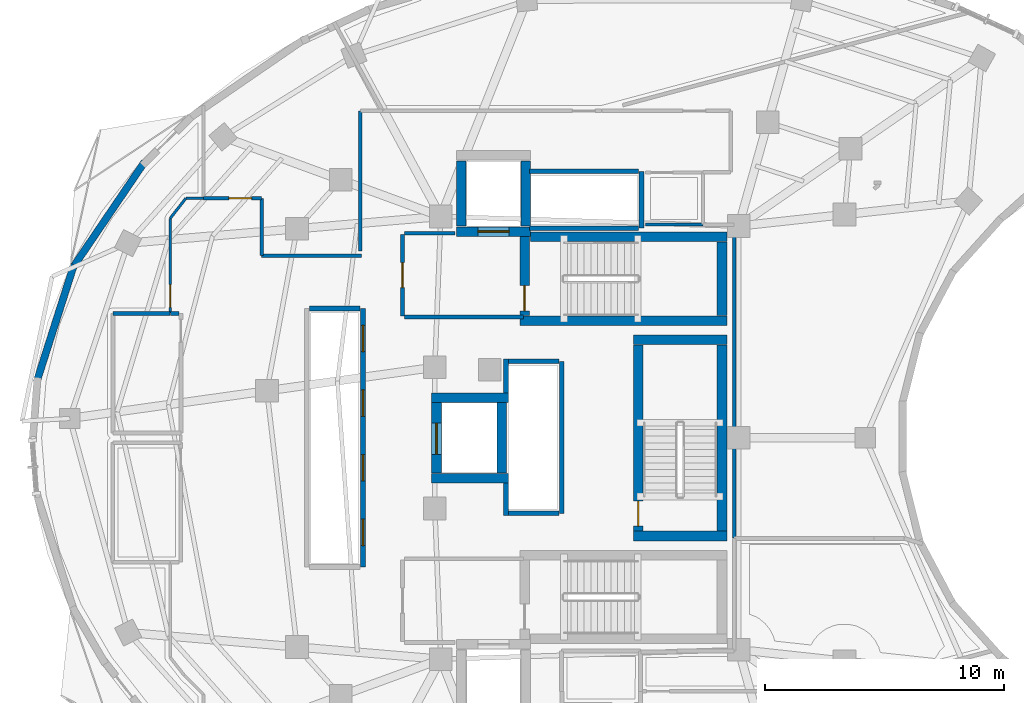
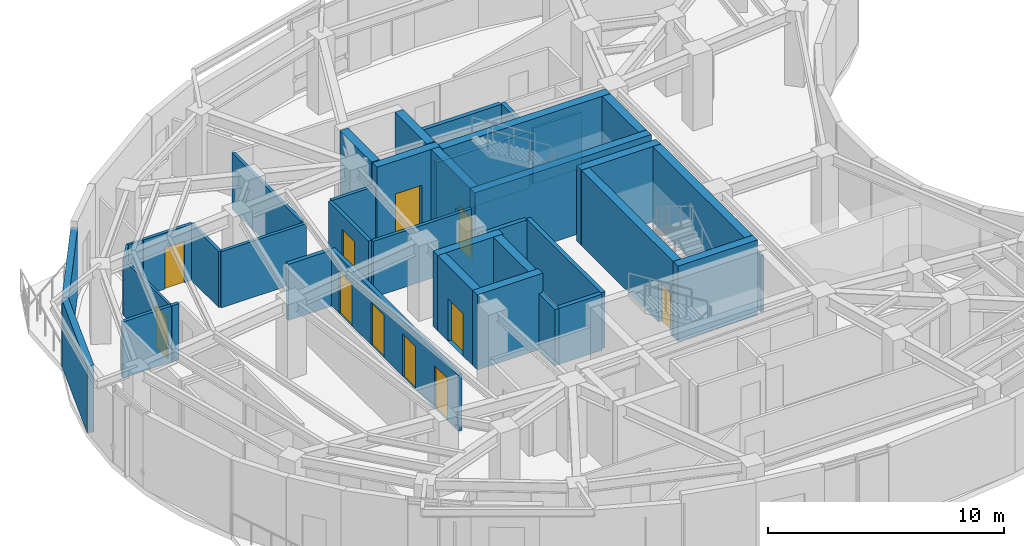
# One storey, part 8 of 13: 41 walls, 11 doors, 11 openings.
"""IFC4 building model written with IfcOpenShell, lengths in metres."""

import ifcopenshell
import ifcopenshell.guid

model = None  # the IFC model being written
_history = None  # IfcOwnerHistory: only IFC2X3 demands one
_inside = {}  # id of a spatial element -> (the spatial element, [elements in it])
_under = {}  # id of a project, library or spatial element -> (it, [spatial elements below it])
_declared = {}  # id of a project -> (the project, [libraries it declares])
_typed = {}  # id of a type object -> (the type object, [elements of that type])
_made_of = {}  # id of a material, layer set ... -> (it, [elements and type objects made of it])


def new_model(schema):
    """Start an empty IFC model of exactly this schema.

    Asked for "IFC4X3", IfcOpenShell would pick the latest addendum, in which some entities
    have other attributes; the version numbers below select the first issue.
    IFC2X3 requires an IfcOwnerHistory on every rooted entity: one is made here for all.
    """
    global model, _history
    if schema == "IFC4X3":
        model = ifcopenshell.file(schema_version=(4, 3, 0, 0))
    else:
        model = ifcopenshell.file(schema=schema)
    _inside.clear()
    _under.clear()
    _declared.clear()
    _typed.clear()
    _made_of.clear()
    _history = None
    if model.schema == "IFC2X3":
        org = make("IfcOrganization", Name="unknown")
        user = make(
            "IfcPersonAndOrganization",
            ThePerson=make("IfcPerson", FamilyName="unknown"),
            TheOrganization=org,
        )
        app = make(
            "IfcApplication",
            ApplicationDeveloper=org,
            Version="unknown",
            ApplicationFullName="unknown",
            ApplicationIdentifier="unknown",
        )
        _history = make(
            "IfcOwnerHistory",
            OwningUser=user,
            OwningApplication=app,
            ChangeAction="ADDED",
            CreationDate=0,
        )
    return model


def make(cls, **values):
    """One entity of the class cls with the attributes given. An attribute that is None is left unset."""
    return model.create_entity(
        cls, **{name: value for name, value in values.items() if value is not None}
    )


def rooted(cls, **values):
    """An entity with a GlobalId (a new one), such as an element, a storey or a relation."""
    return make(cls, GlobalId=ifcopenshell.guid.new(), OwnerHistory=_history, **values)


def si_unit(unit_type, name, prefix=None):
    """IfcSIUnit, for example si_unit("LENGTHUNIT", "METRE", prefix="MILLI")."""
    return make("IfcSIUnit", UnitType=unit_type, Prefix=prefix, Name=name)


def assignment(units):
    """IfcUnitAssignment: the units of a project."""
    return None if units is None else make("IfcUnitAssignment", Units=units)


def point(xyz):
    """IfcCartesianPoint."""
    return None if xyz is None else make("IfcCartesianPoint", Coordinates=xyz)


def direction(xyz):
    """IfcDirection."""
    return None if xyz is None else make("IfcDirection", DirectionRatios=xyz)


def frame(location, z_axis=None, x_axis=None):
    """IfcAxis2Placement3D, a coordinate frame: its origin and axes. An axis left out is left unset."""
    return make(
        "IfcAxis2Placement3D",
        Location=point(location),
        Axis=direction(z_axis),
        RefDirection=direction(x_axis),
    )


def frame_2d(location, x_axis=None):
    """IfcAxis2Placement2D, a coordinate frame in the plane: its origin and x axis."""
    return make(
        "IfcAxis2Placement2D", Location=point(location), RefDirection=direction(x_axis)
    )


def origin():
    """The frame at (0, 0, 0) with its axes left unset."""
    return frame((0.0, 0.0, 0.0))


def place(relative_to, where):
    """IfcLocalPlacement: puts the frame where relative to a parent placement (None: the world)."""
    return make(
        "IfcLocalPlacement", PlacementRelTo=relative_to, RelativePlacement=where
    )


def context(
    kind, dimensions, precision=None, world=None, true_north=None, identifier=None
):
    """IfcGeometricRepresentationContext, for example the 3D "Model" context."""
    return make(
        "IfcGeometricRepresentationContext",
        ContextIdentifier=identifier,
        ContextType=kind,
        CoordinateSpaceDimension=dimensions,
        Precision=precision,
        WorldCoordinateSystem=world,
        TrueNorth=true_north,
    )


def subcontext(parent, identifier, kind, view, scale=None):
    """IfcGeometricRepresentationSubContext, for example "Body" below "Model"."""
    return make(
        "IfcGeometricRepresentationSubContext",
        ContextIdentifier=identifier,
        ContextType=kind,
        ParentContext=parent,
        TargetScale=scale,
        TargetView=view,
    )


def project(units=None, contexts=None):
    """IfcProject with its units and contexts."""
    return rooted(
        "IfcProject",
        Name="project",
        RepresentationContexts=contexts,
        UnitsInContext=assignment(units),
    )


def spatial(cls, under=None, at=None, **own):
    """A site, building, storey or space (cls), placed at a placement, below another one or the project."""
    s = rooted(cls, ObjectPlacement=at, **own)
    if under is not None:
        _under.setdefault(under.id(), (under, []))[1].append(s)
    return s


def profile(cls, at=None, kind="AREA", **sizes):
    """A parametric profile (cls). Its sizes go by their IFC names, for example OverallWidth=200.0."""
    return make(cls, ProfileType=kind, Position=at, **sizes)


def rectangle(**sizes):
    """IfcRectangleProfileDef."""
    return profile("IfcRectangleProfileDef", **sizes)


def extrude(swept, where, along, depth):
    """IfcExtrudedAreaSolid: the profile swept, set in the frame where, extruded along a direction by depth."""
    return make(
        "IfcExtrudedAreaSolid",
        SweptArea=swept,
        Position=where,
        ExtrudedDirection=direction(along),
        Depth=depth,
    )


def shape(context_of_items, identifier, shape_type, items):
    """IfcShapeRepresentation: the items that make up one representation, for example the "Body"."""
    return make(
        "IfcShapeRepresentation",
        ContextOfItems=context_of_items,
        RepresentationIdentifier=identifier,
        RepresentationType=shape_type,
        Items=items,
    )


def material(Name=None, Category=None):
    """IfcMaterial."""
    return make("IfcMaterial", Name=Name, Category=Category)


def layer(
    of_material, thickness, ventilated=None, Name=None, Category=None, Priority=None
):
    """IfcMaterialLayer: one layer of a wall or slab, of a material (None: an air gap)."""
    return make(
        "IfcMaterialLayer",
        Material=of_material,
        LayerThickness=thickness,
        IsVentilated=ventilated,
        Name=Name,
        Category=Category,
        Priority=Priority,
    )


def layer_set(layers, Name=None):
    """IfcMaterialLayerSet."""
    return make("IfcMaterialLayerSet", MaterialLayers=layers, LayerSetName=Name)


def made_of(thing, what):
    """Note that an element or type object is made of a material, layer set ...; save() writes the relation."""
    if what is not None:
        _made_of.setdefault(what.id(), (what, []))[1].append(thing)
    return thing


def type_object(cls, material=None, **own):
    """A type object (cls), such as IfcWallType, which elements share."""
    return made_of(rooted(cls, **own), material)


def element(
    cls,
    number,
    at=None,
    inside=None,
    cuts=None,
    type_object=None,
    material=None,
    context=None,
    identifier="Body",
    shape_type=None,
    held_by="IfcProductDefinitionShape",
    body=None,
    shapes=None,
    **own,
):
    """One element of the class cls, such as IfcWall. Its Tag is "e" and its number.

    at: its placement. inside: the storey or other place that contains it. cuts: it is an
    opening in that element (IfcRelVoidsElement). A single representation is given by context,
    identifier, shape_type and body (its items); several are given by shapes. held_by: the class
    of the entity that holds the representations. save() writes the other relations.
    """
    e = rooted(cls, Tag="e%d" % number, ObjectPlacement=at, **own)
    if body is not None:
        shapes = [shape(context, identifier, shape_type, body)]
    if shapes is not None:
        e.Representation = make(held_by, Representations=shapes)
    if inside is not None:
        _inside.setdefault(inside.id(), (inside, []))[1].append(e)
    if cuts is not None:
        rooted(
            "IfcRelVoidsElement", RelatingBuildingElement=cuts, RelatedOpeningElement=e
        )
    if type_object is not None:
        _typed.setdefault(type_object.id(), (type_object, []))[1].append(e)
    return made_of(e, material)


def fill(opening, filler):
    """IfcRelFillsElement: the door or window that sits in an opening."""
    return rooted(
        "IfcRelFillsElement",
        RelatingOpeningElement=opening,
        RelatedBuildingElement=filler,
    )


def aggregate(whole, parts):
    """IfcRelAggregates: a whole, such as a stair, and the parts it consists of."""
    return rooted("IfcRelAggregates", RelatingObject=whole, RelatedObjects=parts)


def save(model, path):
    """Write the relations noted so far, then the file.

    IfcRelAggregates (storeys below a building ...), IfcRelContainedInSpatialStructure (elements
    in a storey), IfcRelDefinesByType, IfcRelAssociatesMaterial and IfcRelDeclares: one each for
    every whole, place, type object, material and project.
    """
    for whole, parts in _under.values():
        aggregate(whole, parts)
    for where, things in _inside.values():
        rooted(
            "IfcRelContainedInSpatialStructure",
            RelatedElements=things,
            RelatingStructure=where,
        )
    for kind, things in _typed.values():
        rooted("IfcRelDefinesByType", RelatedObjects=things, RelatingType=kind)
    for what, things in _made_of.values():
        rooted("IfcRelAssociatesMaterial", RelatedObjects=things, RelatingMaterial=what)
    for by, libraries in _declared.values():
        rooted("IfcRelDeclares", RelatingContext=by, RelatedDefinitions=libraries)
    model.write(path)


model = new_model("IFC4")

# Units and contexts
model_context = context("Model", 3, precision=1e-05, world=origin(), true_north=direction((0.0, 1.0)))
body_context = subcontext(model_context, "Body", "Model", "MODEL_VIEW")
ifc_project = project(units=[si_unit("LENGTHUNIT", "METRE"), si_unit("AREAUNIT", "SQUARE_METRE"), si_unit("VOLUMEUNIT", "CUBIC_METRE"), si_unit("PLANEANGLEUNIT", "RADIAN"), si_unit("MASSUNIT", "GRAM", prefix="KILO")], contexts=[model_context])

# Site, building, storey
site_placement = place(None, origin())
site = spatial("IfcSite", under=ifc_project, at=site_placement, CompositionType="ELEMENT")
building_placement = place(site_placement, origin())
building = spatial("IfcBuilding", under=site, at=building_placement, Name="Korentha Bioscience Tower", CompositionType="ELEMENT")
storey_placement = place(building_placement, frame((0.0, 0.0, 268.800048828125)))
storey = spatial("IfcBuildingStorey", under=building, at=storey_placement, Name="L62", CompositionType="ELEMENT", Elevation=268.800048828125)

# Wall, opening, door
ifc_material_1 = material(Name="Double-Stud Acoustic Gypsum", Category="gypsum")
ifc_layer_1 = layer(ifc_material_1, 0.14990234375, Name="Double-Stud Acoustic Gypsum")
ifc_layer_set_1 = layer_set([ifc_layer_1], Name="Double-Stud Acoustic Gypsum (IW-L150)")
wall_type_1 = type_object("IfcWallType", Name="Acoustic Laboratory Partition Wall 150", PredefinedType="PARTITIONING", material=ifc_layer_set_1)
wall_1_placement = place(storey_placement, frame((17.60009765625, 37.010009765625, 0.0), z_axis=(0.0, 0.0, 1.0), x_axis=(-1.0, 0.0, 0.0)))
wall_1 = element("IfcWall", 1, at=wall_1_placement, inside=storey, type_object=wall_type_1, Name="L62 Clinical Advisory Boardroom 08 Entrance Wall", PredefinedType="PARTITIONING", context=body_context, shape_type="SweptSolid", body=[
    extrude(rectangle(XDim=2.40576171875, YDim=0.14990234375, at=frame_2d((1.202880859375, 0.0))), origin(), (0.0, 0.0, 1.0), 2.909912109375),
])
opening_1_placement = place(wall_1_placement, frame((0.40185546875, 0.0, 0.0)))
opening_1 = element("IfcOpeningElement", 2, at=opening_1_placement, cuts=wall_1, Name="Opening ID-10R", PredefinedType="OPENING", context=body_context, shape_type="SweptSolid", body=[
    extrude(rectangle(XDim=0.949951171875, YDim=2.14990234375, at=frame_2d((0.47509765625, 1.074951171875))), frame((0.0, 0.08984375, 0.0), z_axis=(0.0, -1.0, 0.0), x_axis=(1.0, 0.0, 0.0)), (0.0, 0.0, 1.0), 0.1796875),
])
ifc_material_2 = material(Name="Phenolic Laminate Timber Core", Category="wood")
door_type_1 = type_object("IfcDoorType", Name="Laboratory Single Leaf Door 950x2150 Right", OperationType="SINGLE_SWING_RIGHT", PredefinedType="DOOR", material=ifc_material_2)
door_1_placement = place(opening_1_placement, origin())
door_1 = element("IfcDoor", 3, at=door_1_placement, inside=storey, type_object=door_type_1, Name="L62 Clinical Advisory Boardroom 08 Door", OperationType="SINGLE_SWING_RIGHT", OverallHeight=2.14990234375, OverallWidth=0.949951171875, PredefinedType="DOOR", context=body_context, shape_type="SweptSolid", body=[
    extrude(rectangle(XDim=0.949951171875, YDim=2.14990234375, at=frame_2d((0.47509765625, 1.074951171875))), frame((0.0, 0.02490234375, 0.0), z_axis=(0.0, -1.0, 0.0), x_axis=(1.0, 0.0, 0.0)), (0.0, 0.0, 1.0), 0.050048828125),
])
fill(opening_1, door_1)

# Walls
wall_2_placement = place(storey_placement, frame((37.360107421875, 22.80810546875, 0.0), z_axis=(0.0, 0.0, 1.0), x_axis=(0.0, 1.0, 0.0)))
element("IfcWall", 4, at=wall_2_placement, inside=storey, type_object=wall_type_1, Name="L62 Interior Partition 046", PredefinedType="PARTITIONING", context=body_context, shape_type="SweptSolid", body=[
    extrude(rectangle(XDim=13.091796875, YDim=0.14990234375, at=frame_2d((6.5458984375, 0.0))), origin(), (0.0, 0.0, 1.0), 2.909912109375),
])
wall_3_placement = place(storey_placement, frame((21.739990234375, 40.64990234375, 0.0), z_axis=(0.0, 0.0, 1.0), x_axis=(0.0, -1.0, 0.0)))
element("IfcWall", 5, at=wall_3_placement, inside=storey, type_object=wall_type_1, Name="L62 Interior Partition 061", PredefinedType="PARTITIONING", context=body_context, shape_type="SweptSolid", body=[
    extrude(rectangle(XDim=5.849853515625, YDim=0.14990234375, at=frame_2d((2.9248046875, 0.0))), origin(), (0.0, 0.0, 1.0), 2.909912109375),
])
wall_4_placement = place(storey_placement, frame((21.7900390625, 34.610107421875, 0.0), z_axis=(0.0, 0.0, 1.0), x_axis=(-1.0, 0.0, 0.0)))
element("IfcWall", 6, at=wall_4_placement, inside=storey, type_object=wall_type_1, Name="L62 Interior Partition 062", PredefinedType="PARTITIONING", context=body_context, shape_type="SweptSolid", body=[
    extrude(rectangle(XDim=4.179931640625, YDim=0.14990234375, at=frame_2d((2.08984375, 0.0))), origin(), (0.0, 0.0, 1.0), 2.909912109375),
])
wall_5_placement = place(storey_placement, frame((17.610107421875, 34.610107421875, 0.0), z_axis=(0.0, 0.0, 1.0), x_axis=(0.0, 1.0, 0.0)))
element("IfcWall", 7, at=wall_5_placement, inside=storey, type_object=wall_type_1, Name="L62 Interior Partition 063", PredefinedType="PARTITIONING", context=body_context, shape_type="SweptSolid", body=[
    extrude(rectangle(XDim=2.389892578125, YDim=0.14990234375, at=frame_2d((1.19482421875, 0.0))), origin(), (0.0, 0.0, 1.0), 2.909912109375),
])

# Wall, opening, door
ifc_material_3 = material(Name="Fire-Rated Framed Glass", Category="glass")
ifc_layer_2 = layer(ifc_material_3, 0.110107421875, Name="Fire-Rated Framed Glass")
ifc_layer_set_2 = layer_set([ifc_layer_2], Name="Fire-Rated Framed Glass (IW-G110)")
wall_type_2 = type_object("IfcWallType", Name="Demountable Glazed Office Partition 110", PredefinedType="MOVABLE", material=ifc_layer_set_2)
wall_6_placement = place(storey_placement, frame((13.7900390625, 36.164794921875, 0.0), z_axis=(0.0, 0.0, 1.0), x_axis=(0.0, -1.0, 0.0)))
wall_6 = element("IfcWall", 8, at=wall_6_placement, inside=storey, type_object=wall_type_2, Name="L62 Biostatistics Research Office 07 Entrance Wall", PredefinedType="MOVABLE", context=body_context, shape_type="SweptSolid", body=[
    extrude(rectangle(XDim=3.954833984375, YDim=0.110107421875, at=frame_2d((1.9775390625, 0.0))), origin(), (0.0, 0.0, 1.0), 2.909912109375),
])
opening_2_placement = place(wall_6_placement, frame((2.764892578125, 0.0, 0.0)))
opening_2 = element("IfcOpeningElement", 9, at=opening_2_placement, cuts=wall_6, Name="Opening ID-10L", PredefinedType="OPENING", context=body_context, shape_type="SweptSolid", body=[
    extrude(rectangle(XDim=0.949951171875, YDim=2.14990234375, at=frame_2d((0.47509765625, 1.074951171875))), frame((0.0, 0.06982421875, 0.0), z_axis=(0.0, -1.0, 0.0), x_axis=(1.0, 0.0, 0.0)), (0.0, 0.0, 1.0), 0.139892578125),
])
door_type_2 = type_object("IfcDoorType", Name="Laboratory Single Leaf Door 950x2150 Left", OperationType="SINGLE_SWING_LEFT", PredefinedType="DOOR", material=ifc_material_2)
door_2_placement = place(opening_2_placement, origin())
door_2 = element("IfcDoor", 10, at=door_2_placement, inside=storey, type_object=door_type_2, Name="L62 Biostatistics Research Office 07 Door", OperationType="SINGLE_SWING_LEFT", OverallHeight=2.14990234375, OverallWidth=0.949951171875, PredefinedType="DOOR", context=body_context, shape_type="SweptSolid", body=[
    extrude(rectangle(XDim=0.949951171875, YDim=2.14990234375, at=frame_2d((0.47509765625, 1.074951171875))), frame((0.0, 0.02490234375, 0.0), z_axis=(0.0, -1.0, 0.0), x_axis=(1.0, 0.0, 0.0)), (0.0, 0.0, 1.0), 0.050048828125),
])
fill(opening_2, door_2)

# Walls
wall_7_placement = place(storey_placement, frame((15.184326171875, 37.010009765625, 0.0), z_axis=(0.0, 0.0, 1.0), x_axis=(-1.0, 0.0, 0.0)))
element("IfcWall", 11, at=wall_7_placement, inside=storey, type_object=wall_type_2, Name="L62 Interior Partition 053", PredefinedType="MOVABLE", context=body_context, shape_type="SweptSolid", body=[
    extrude(rectangle(XDim=0.731689453125, YDim=0.110107421875, at=frame_2d((0.36572265625, 0.0))), origin(), (0.0, 0.0, 1.0), 2.909912109375),
])
wall_8_placement = place(storey_placement, frame((14.44482421875, 37.006103515625, 0.0), z_axis=(0.0, 0.0, 1.0), x_axis=(-0.615836200745, -0.787874211948, 0.0)))
element("IfcWall", 12, at=wall_8_placement, inside=storey, type_object=wall_type_2, Name="L62 Interior Partition 054", PredefinedType="MOVABLE", context=body_context, shape_type="SweptSolid", body=[
    extrude(rectangle(XDim=1.06005859375, YDim=0.110107421875, at=frame_2d((0.530029296875, 0.0))), origin(), (0.0, 0.0, 1.0), 2.909912109375),
])

# Wall, opening, door
ifc_material_4 = material(Name="Gypsum-Clad Steel Stud", Category="steel")
ifc_layer_3 = layer(ifc_material_4, 0.159912109375, Name="Gypsum-Clad Steel Stud")
ifc_layer_set_3 = layer_set([ifc_layer_3], Name="Gypsum-Clad Steel Stud (IW-C160)")
wall_type_3 = type_object("IfcWallType", Name="Fire-Rated Corridor Partition Wall 160", PredefinedType="PARTITIONING", material=ifc_layer_set_3)
wall_9_placement = place(storey_placement, frame((23.5, 32.10009765625, 0.0), z_axis=(0.0, 0.0, 1.0), x_axis=(0.0, 1.0, 0.0)))
wall_9 = element("IfcWall", 13, at=wall_9_placement, inside=storey, type_object=wall_type_3, Name="L62 FFLN-CW Rated Enclosure Wall", PredefinedType="PARTITIONING", context=body_context, shape_type="SweptSolid", body=[
    extrude(rectangle(XDim=3.39990234375, YDim=0.159912109375, at=frame_2d((1.699951171875, 0.0))), origin(), (0.0, 0.0, 1.0), 2.909912109375),
])
opening_3_placement = place(wall_9_placement, frame((1.175048828125, 0.0, 0.0)))
opening_3 = element("IfcOpeningElement", 14, at=opening_3_placement, cuts=wall_9, Name="Opening FD-90L", PredefinedType="OPENING", context=body_context, shape_type="SweptSolid", body=[
    extrude(rectangle(XDim=1.050048828125, YDim=2.14990234375, at=frame_2d((0.52490234375, 1.074951171875))), frame((0.0, 0.0947265625, 0.0), z_axis=(0.0, -1.0, 0.0), x_axis=(1.0, 0.0, 0.0)), (0.0, 0.0, 1.0), 0.189697265625),
])
ifc_material_5 = material(Name="Powder-Coated Fire-Rated Steel", Category="steel")
door_type_3 = type_object("IfcDoorType", Name="Stairwell Fire Exit Door 1050x2150 Left", OperationType="SINGLE_SWING_LEFT", PredefinedType="DOOR", material=ifc_material_5)
door_3_placement = place(opening_3_placement, origin())
door_3 = element("IfcDoor", 15, at=door_3_placement, inside=storey, type_object=door_type_3, Name="L62 North Firefighting Lobby Door", OperationType="SINGLE_SWING_LEFT", OverallHeight=2.14990234375, OverallWidth=1.050048828125, PredefinedType="DOOR", context=body_context, shape_type="SweptSolid", body=[
    extrude(rectangle(XDim=1.050048828125, YDim=2.14990234375, at=frame_2d((0.52490234375, 1.074951171875))), frame((0.0, 0.02490234375, 0.0), z_axis=(0.0, -1.0, 0.0), x_axis=(1.0, 0.0, 0.0)), (0.0, 0.0, 1.0), 0.050048828125),
])
fill(opening_3, door_3)

# Walls
wall_10_placement = place(storey_placement, frame((23.580078125, 32.050048828125, 0.0), z_axis=(0.0, 0.0, 1.0), x_axis=(1.0, 0.0, 0.0)))
element("IfcWall", 16, at=wall_10_placement, inside=storey, type_object=wall_type_3, Name="L62 Firefighting Lobby Return Wall FFLN-S", PredefinedType="PARTITIONING", context=body_context, shape_type="SweptSolid", body=[
    extrude(rectangle(XDim=4.969970703125, YDim=0.159912109375, at=frame_2d((2.48486328125, 0.0))), origin(), (0.0, 0.0, 1.0), 2.909912109375),
])
wall_11_placement = place(storey_placement, frame((23.580078125, 35.550048828125, 0.0), z_axis=(0.0, 0.0, 1.0), x_axis=(1.0, 0.0, 0.0)))
element("IfcWall", 17, at=wall_11_placement, inside=storey, type_object=wall_type_3, Name="L62 Firefighting Lobby Return Wall FFLN-N", PredefinedType="PARTITIONING", context=body_context, shape_type="SweptSolid", body=[
    extrude(rectangle(XDim=2.119873046875, YDim=0.159912109375, at=frame_2d((1.06005859375, 0.0))), origin(), (0.0, 0.0, 1.0), 2.909912109375),
])
wall_12_placement = place(storey_placement, frame((13.800048828125, 32.18994140625, 0.0), z_axis=(0.0, 0.0, 1.0), x_axis=(1.0, 0.0, 0.0)))
element("IfcWall", 18, at=wall_12_placement, inside=storey, type_object=wall_type_3, Name="L62 Interior Partition 024", PredefinedType="PARTITIONING", context=body_context, shape_type="SweptSolid", body=[
    extrude(rectangle(XDim=0.35693359375, YDim=0.159912109375, at=frame_2d((0.178466796875, 0.0))), origin(), (0.0, 0.0, 1.0), 2.909912109375),
])
wall_13_placement = place(storey_placement, frame((11.39990234375, 32.199951171875, 0.0), z_axis=(0.0, 0.0, 1.0), x_axis=(1.0, 0.0, 0.0)))
element("IfcWall", 19, at=wall_13_placement, inside=storey, type_object=wall_type_3, Name="L62 Interior Partition 027", PredefinedType="PARTITIONING", context=body_context, shape_type="SweptSolid", body=[
    extrude(rectangle(XDim=2.39013671875, YDim=0.159912109375, at=frame_2d((1.195068359375, 0.0))), origin(), (0.0, 0.0, 1.0), 2.909912109375),
])
ifc_material_6 = material(Name="Honed Limestone Precast Concrete C40", Category="masonry")
ifc_layer_4 = layer(ifc_material_6, 0.300048828125, Name="Honed Limestone Precast Concrete C40")
ifc_layer_set_4 = layer_set([ifc_layer_4], Name="Honed Limestone Precast Concrete C40 (EW-ST300)")
wall_type_4 = type_object("IfcWallType", Name="Honed Limestone Cavity Spandrel Wall 300", PredefinedType="STANDARD", material=ifc_layer_set_4)
wall_14_placement = place(storey_placement, frame((12.72509765625, 38.533935546875, 0.0), z_axis=(0.0, 0.0, 1.0), x_axis=(-0.561547791281, -0.827444305139, 0.0)))
element("IfcWall", 20, at=wall_14_placement, inside=storey, type_object=wall_type_4, Name="L62 Limestone Perimeter Closure Wall 14", PredefinedType="STANDARD", context=body_context, shape_type="SweptSolid", body=[
    extrude(rectangle(XDim=5.4072265625, YDim=0.300048828125, at=frame_2d((2.70361328125, 0.0))), origin(), (0.0, 0.0, 1.0), 3.469970703125),
])
wall_15_placement = place(storey_placement, frame((9.775390625, 34.23828125, 0.0), z_axis=(0.0, 0.0, 1.0), x_axis=(-0.303876387353, -0.952711467974, 0.0)))
element("IfcWall", 21, at=wall_15_placement, inside=storey, type_object=wall_type_4, Name="L62 Limestone Perimeter Closure Wall 16", PredefinedType="STANDARD", context=body_context, shape_type="SweptSolid", body=[
    extrude(rectangle(XDim=5.15234375, YDim=0.300048828125, at=frame_2d((2.576171875, 0.0))), origin(), (0.0, 0.0, 1.0), 3.469970703125),
])

# Wall, openings, doors
ifc_material_7 = material(Name="Autoclaved Aerated Concrete Block C25", Category="concrete")
ifc_layer_5 = layer(ifc_material_7, 0.199951171875, Name="Autoclaved Aerated Concrete Block C25")
ifc_layer_set_5 = layer_set([ifc_layer_5], Name="Autoclaved Aerated Concrete Block C25 (IW-S200)")
wall_type_5 = type_object("IfcWallType", Name="Lift and Riser Shaft Enclosure Wall 200", PredefinedType="PARTITIONING", material=ifc_layer_set_5)
wall_16_placement = place(storey_placement, frame((21.85009765625, 21.60009765625, 0.0), z_axis=(0.0, 0.0, 1.0), x_axis=(0.0, 1.0, 0.0)))
wall_16 = element("IfcWall", 22, at=wall_16_placement, inside=storey, type_object=wall_type_5, Name="L62 Lift Bank MID Shaft Wall +X", PredefinedType="PARTITIONING", context=body_context, shape_type="SweptSolid", body=[
    extrude(rectangle(XDim=10.7998046875, YDim=0.199951171875, at=frame_2d((5.39990234375, 0.0))), origin(), (0.0, 0.0, 1.0), 2.909912109375),
])
opening_4_placement = place(wall_16_placement, frame((0.89990234375, 0.0, 0.0)))
opening_4 = element("IfcOpeningElement", 23, at=opening_4_placement, cuts=wall_16, Name="Opening LD-11", PredefinedType="OPENING", context=body_context, shape_type="SweptSolid", body=[
    extrude(rectangle(XDim=1.10009765625, YDim=2.199951171875, at=frame_2d((0.550048828125, 1.10009765625))), frame((0.0, 0.11474609375, 0.0), z_axis=(0.0, -1.0, 0.0), x_axis=(1.0, 0.0, 0.0)), (0.0, 0.0, 1.0), 0.229736328125),
])
opening_5_placement = place(wall_16_placement, frame((3.60009765625, 0.0, 0.0)))
opening_5 = element("IfcOpeningElement", 24, at=opening_5_placement, cuts=wall_16, Name="Opening LD-11", PredefinedType="OPENING", context=body_context, shape_type="SweptSolid", body=[
    extrude(rectangle(XDim=1.10009765625, YDim=2.199951171875, at=frame_2d((0.550048828125, 1.10009765625))), frame((0.0, 0.11474609375, 0.0), z_axis=(0.0, -1.0, 0.0), x_axis=(1.0, 0.0, 0.0)), (0.0, 0.0, 1.0), 0.229736328125),
])
opening_6_placement = place(wall_16_placement, frame((6.300048828125, 0.0, 0.0)))
opening_6 = element("IfcOpeningElement", 25, at=opening_6_placement, cuts=wall_16, Name="Opening LD-11", PredefinedType="OPENING", context=body_context, shape_type="SweptSolid", body=[
    extrude(rectangle(XDim=1.10009765625, YDim=2.199951171875, at=frame_2d((0.550048828125, 1.10009765625))), frame((0.0, 0.11474609375, 0.0), z_axis=(0.0, -1.0, 0.0), x_axis=(1.0, 0.0, 0.0)), (0.0, 0.0, 1.0), 0.229736328125),
])
opening_7_placement = place(wall_16_placement, frame((9.0, 0.0, 0.0)))
opening_7 = element("IfcOpeningElement", 26, at=opening_7_placement, cuts=wall_16, Name="Opening LD-11", PredefinedType="OPENING", context=body_context, shape_type="SweptSolid", body=[
    extrude(rectangle(XDim=1.10009765625, YDim=2.199951171875, at=frame_2d((0.550048828125, 1.10009765625))), frame((0.0, 0.11474609375, 0.0), z_axis=(0.0, -1.0, 0.0), x_axis=(1.0, 0.0, 0.0)), (0.0, 0.0, 1.0), 0.229736328125),
])
ifc_material_8 = material(Name="Brushed Stainless Steel 304", Category="steel")
door_type_4 = type_object("IfcDoorType", Name="Passenger Lift Sliding Landing Door 1100x2200", OperationType="DOUBLE_DOOR_SLIDING", PredefinedType="DOOR", material=ifc_material_8)
door_4_placement = place(opening_4_placement, origin())
door_4 = element("IfcDoor", 27, at=door_4_placement, inside=storey, type_object=door_type_4, Name="L62 PL-M1 Sliding Lift Landing Door", OperationType="DOUBLE_DOOR_SLIDING", OverallHeight=2.199951171875, OverallWidth=1.10009765625, PredefinedType="DOOR", context=body_context, shape_type="SweptSolid", body=[
    extrude(rectangle(XDim=1.10009765625, YDim=2.199951171875, at=frame_2d((0.550048828125, 1.10009765625))), frame((0.0, 0.02490234375, 0.0), z_axis=(0.0, -1.0, 0.0), x_axis=(1.0, 0.0, 0.0)), (0.0, 0.0, 1.0), 0.050048828125),
])
fill(opening_4, door_4)
door_5_placement = place(opening_5_placement, origin())
door_5 = element("IfcDoor", 28, at=door_5_placement, inside=storey, type_object=door_type_4, Name="L62 PL-M2 Sliding Lift Landing Door", OperationType="DOUBLE_DOOR_SLIDING", OverallHeight=2.199951171875, OverallWidth=1.10009765625, PredefinedType="DOOR", context=body_context, shape_type="SweptSolid", body=[
    extrude(rectangle(XDim=1.10009765625, YDim=2.199951171875, at=frame_2d((0.550048828125, 1.10009765625))), frame((0.0, 0.02490234375, 0.0), z_axis=(0.0, -1.0, 0.0), x_axis=(1.0, 0.0, 0.0)), (0.0, 0.0, 1.0), 0.050048828125),
])
fill(opening_5, door_5)
door_6_placement = place(opening_6_placement, origin())
door_6 = element("IfcDoor", 29, at=door_6_placement, inside=storey, type_object=door_type_4, Name="L62 PL-M3 Sliding Lift Landing Door", OperationType="DOUBLE_DOOR_SLIDING", OverallHeight=2.199951171875, OverallWidth=1.10009765625, PredefinedType="DOOR", context=body_context, shape_type="SweptSolid", body=[
    extrude(rectangle(XDim=1.10009765625, YDim=2.199951171875, at=frame_2d((0.550048828125, 1.10009765625))), frame((0.0, 0.02490234375, 0.0), z_axis=(0.0, -1.0, 0.0), x_axis=(1.0, 0.0, 0.0)), (0.0, 0.0, 1.0), 0.050048828125),
])
fill(opening_6, door_6)
door_7_placement = place(opening_7_placement, origin())
door_7 = element("IfcDoor", 30, at=door_7_placement, inside=storey, type_object=door_type_4, Name="L62 PL-M4 Sliding Lift Landing Door", OperationType="DOUBLE_DOOR_SLIDING", OverallHeight=2.199951171875, OverallWidth=1.10009765625, PredefinedType="DOOR", context=body_context, shape_type="SweptSolid", body=[
    extrude(rectangle(XDim=1.10009765625, YDim=2.199951171875, at=frame_2d((0.550048828125, 1.10009765625))), frame((0.0, 0.02490234375, 0.0), z_axis=(0.0, -1.0, 0.0), x_axis=(1.0, 0.0, 0.0)), (0.0, 0.0, 1.0), 0.050048828125),
])
fill(opening_7, door_7)

# Walls
wall_17_placement = place(storey_placement, frame((19.6201171875, 32.39990234375, 0.0), z_axis=(0.0, 0.0, 1.0), x_axis=(1.0, 0.0, 0.0)))
element("IfcWall", 31, at=wall_17_placement, inside=storey, type_object=wall_type_5, Name="L62 Lift Bank MID Shaft Wall +Y", PredefinedType="PARTITIONING", context=body_context, shape_type="SweptSolid", body=[
    extrude(rectangle(XDim=2.10986328125, YDim=0.199951171875, at=frame_2d((1.054931640625, 0.0))), origin(), (0.0, 0.0, 1.0), 2.909912109375),
])
wall_18_placement = place(storey_placement, frame((27.830078125, 23.75, 0.0), z_axis=(0.0, 0.0, 1.0), x_axis=(0.0, 1.0, 0.0)))
element("IfcWall", 32, at=wall_18_placement, inside=storey, type_object=wall_type_5, Name="L62 Lift Bank HIGH Shaft Wall -XS", PredefinedType="PARTITIONING", context=body_context, shape_type="SweptSolid", body=[
    extrude(rectangle(XDim=1.365966796875, YDim=0.199951171875, at=frame_2d((0.68310546875, 0.0))), origin(), (0.0, 0.0, 1.0), 2.909912109375),
])
wall_19_placement = place(storey_placement, frame((27.830078125, 28.884033203125, 0.0), z_axis=(0.0, 0.0, 1.0), x_axis=(0.0, 1.0, 0.0)))
element("IfcWall", 33, at=wall_19_placement, inside=storey, type_object=wall_type_5, Name="L62 Lift Bank HIGH Shaft Wall -XN", PredefinedType="PARTITIONING", context=body_context, shape_type="SweptSolid", body=[
    extrude(rectangle(XDim=1.416015625, YDim=0.199951171875, at=frame_2d((0.7080078125, 0.0))), origin(), (0.0, 0.0, 1.0), 2.909912109375),
])
wall_20_placement = place(storey_placement, frame((30.14990234375, 23.85009765625, 0.0), z_axis=(0.0, 0.0, 1.0), x_axis=(0.0, 1.0, 0.0)))
element("IfcWall", 34, at=wall_20_placement, inside=storey, type_object=wall_type_5, Name="L62 Lift Bank HIGH Shaft Wall +X", PredefinedType="PARTITIONING", context=body_context, shape_type="SweptSolid", body=[
    extrude(rectangle(XDim=6.349853515625, YDim=0.199951171875, at=frame_2d((3.1748046875, 0.0))), origin(), (0.0, 0.0, 1.0), 2.909912109375),
])
for number, where, z_axis, x_axis, name in (
    (35, (27.93408203125, 23.85009765625, 0.0), (0.0, 0.0, 1.0), (1.0, 0.0, 0.0), "L62 Lift Bank HIGH Shaft Wall -Y"),
    (36, (27.93408203125, 30.199951171875, 0.0), (0.0, 0.0, 1.0), (1.0, 0.0, 0.0), "L62 Lift Bank HIGH Shaft Wall +Y"),
):
    element("IfcWall", number, at=place(storey_placement, frame(where, z_axis=z_axis, x_axis=x_axis)), inside=storey, type_object=wall_type_5, Name=name, PredefinedType="PARTITIONING", context=body_context, shape_type="SweptSolid", body=[
        extrude(rectangle(XDim=2.095947265625, YDim=0.199951171875, at=frame_2d((1.0478515625, 0.0))), origin(), (0.0, 0.0, 1.0), 2.909912109375),
    ])
wall_21_placement = place(storey_placement, frame((33.489990234375, 35.760009765625, 0.0), z_axis=(0.0, 0.0, 1.0), x_axis=(0.0, 1.0, 0.0)))
element("IfcWall", 37, at=wall_21_placement, inside=storey, type_object=wall_type_5, Name="L62 Lift Bank OBS Shaft Wall +X", PredefinedType="PARTITIONING", context=body_context, shape_type="SweptSolid", body=[
    extrude(rectangle(XDim=2.3798828125, YDim=0.199951171875, at=frame_2d((1.18994140625, 0.0))), origin(), (0.0, 0.0, 1.0), 2.909912109375),
])
for number, where, z_axis, x_axis, name in (
    (38, (28.800048828125, 35.760009765625, 0.0), (0.0, 0.0, 1.0), (1.0, 0.0, 0.0), "L62 Lift Bank OBS Shaft Wall -Y"),
    (39, (28.800048828125, 38.139892578125, 0.0), (0.0, 0.0, 1.0), (1.0, 0.0, 0.0), "L62 Lift Bank OBS Shaft Wall +Y"),
):
    element("IfcWall", number, at=place(storey_placement, frame(where, z_axis=z_axis, x_axis=x_axis)), inside=storey, type_object=wall_type_5, Name=name, PredefinedType="PARTITIONING", context=body_context, shape_type="SweptSolid", body=[
        extrude(rectangle(XDim=4.570068359375, YDim=0.199951171875, at=frame_2d((2.28515625, 0.0))), origin(), (0.0, 0.0, 1.0), 2.909912109375),
    ])
ifc_material_9 = material(Name="Concrete C65", Category="concrete")
ifc_layer_6 = layer(ifc_material_9, 0.39990234375, Name="Concrete C65")
ifc_layer_set_6 = layer_set([ifc_layer_6], Name="Concrete C65 (CW-C65)")
wall_type_6 = type_object("IfcWallType", Name="Mid-Rise Core Shear Wall 400", PredefinedType="SHEAR", material=ifc_layer_set_6)
wall_22_placement = place(storey_placement, frame((28.85205078125, 35.39990234375, 0.0), z_axis=(0.0, 0.0, 1.0), x_axis=(1.0, 0.0, 0.0)))
element("IfcWall", 40, at=wall_22_placement, inside=storey, type_object=wall_type_6, Name="L62 Core Shear Wall ST1-N", PredefinedType="SHEAR", context=body_context, shape_type="SweptSolid", body=[
    extrude(rectangle(XDim=8.197998046875, YDim=0.39990234375, at=frame_2d((4.09912109375, 0.0))), origin(), (0.0, 0.0, 1.0), 3.89990234375),
])
wall_23_placement = place(storey_placement, frame((28.39990234375, 31.89990234375, 0.0), z_axis=(0.0, 0.0, 1.0), x_axis=(1.0, 0.0, 0.0)))
element("IfcWall", 41, at=wall_23_placement, inside=storey, type_object=wall_type_6, Name="L62 Core Shear Wall ST1-S", PredefinedType="SHEAR", context=body_context, shape_type="SweptSolid", body=[
    extrude(rectangle(XDim=8.650146484375, YDim=0.39990234375, at=frame_2d((4.3251953125, 0.0))), origin(), (0.0, 0.0, 1.0), 3.89990234375),
])
wall_24_placement = place(storey_placement, frame((36.85009765625, 32.110107421875, 0.0), z_axis=(0.0, 0.0, 1.0), x_axis=(0.0, 1.0, 0.0)))
element("IfcWall", 42, at=wall_24_placement, inside=storey, type_object=wall_type_6, Name="L62 Core Shear Wall ST1-E", PredefinedType="SHEAR", context=body_context, shape_type="SweptSolid", body=[
    extrude(rectangle(XDim=3.079833984375, YDim=0.39990234375, at=frame_2d((1.5400390625, 0.0))), origin(), (0.0, 0.0, 1.0), 3.89990234375),
])

# Wall, opening, door
wall_25_placement = place(storey_placement, frame((28.60009765625, 32.110107421875, 0.0), z_axis=(0.0, 0.0, 1.0), x_axis=(0.0, 1.0, 0.0)))
wall_25 = element("IfcWall", 43, at=wall_25_placement, inside=storey, type_object=wall_type_6, Name="L62 Core Shear Wall ST1-W", PredefinedType="SHEAR", context=body_context, shape_type="SweptSolid", body=[
    extrude(rectangle(XDim=3.307861328125, YDim=0.39990234375, at=frame_2d((1.65380859375, 0.0))), origin(), (0.0, 0.0, 1.0), 3.89990234375),
])
opening_8_placement = place(wall_25_placement, frame((0.199951171875, 0.0, 0.0)))
opening_8 = element("IfcOpeningElement", 44, at=opening_8_placement, cuts=wall_25, Name="Opening FD-90L", PredefinedType="OPENING", context=body_context, shape_type="SweptSolid", body=[
    extrude(rectangle(XDim=1.050048828125, YDim=2.14990234375, at=frame_2d((0.52490234375, 1.074951171875))), frame((0.0, 0.21484375, 0.0), z_axis=(0.0, -1.0, 0.0), x_axis=(1.0, 0.0, 0.0)), (0.0, 0.0, 1.0), 0.4296875),
])
door_8_placement = place(opening_8_placement, origin())
door_8 = element("IfcDoor", 45, at=door_8_placement, inside=storey, type_object=door_type_3, Name="L62 ST-1 Fire Exit Stair Door", OperationType="SINGLE_SWING_LEFT", OverallHeight=2.14990234375, OverallWidth=1.050048828125, PredefinedType="DOOR", context=body_context, shape_type="SweptSolid", body=[
    extrude(rectangle(XDim=1.050048828125, YDim=2.14990234375, at=frame_2d((0.52490234375, 1.074951171875))), frame((0.0, 0.02490234375, 0.0), z_axis=(0.0, -1.0, 0.0), x_axis=(1.0, 0.0, 0.0)), (0.0, 0.0, 1.0), 0.050048828125),
])
fill(opening_8, door_8)

# Walls
for number, where, z_axis, x_axis, name in (
    (46, (33.14990234375, 31.10009765625, 0.0), (0.0, 0.0, 1.0), (1.0, 0.0, 0.0), "L62 Core Shear Wall ST3-N"),
    (47, (33.14990234375, 22.89990234375, 0.0), (0.0, 0.0, 1.0), (1.0, 0.0, 0.0), "L62 Core Shear Wall ST3-S"),
):
    element("IfcWall", number, at=place(storey_placement, frame(where, z_axis=z_axis, x_axis=x_axis)), inside=storey, type_object=wall_type_6, Name=name, PredefinedType="SHEAR", context=body_context, shape_type="SweptSolid", body=[
        extrude(rectangle(XDim=3.900146484375, YDim=0.39990234375, at=frame_2d((1.9501953125, 0.0))), origin(), (0.0, 0.0, 1.0), 3.89990234375),
    ])
wall_26_placement = place(storey_placement, frame((36.85009765625, 23.110107421875, 0.0), z_axis=(0.0, 0.0, 1.0), x_axis=(0.0, 1.0, 0.0)))
element("IfcWall", 48, at=wall_26_placement, inside=storey, type_object=wall_type_6, Name="L62 Core Shear Wall ST3-E", PredefinedType="SHEAR", context=body_context, shape_type="SweptSolid", body=[
    extrude(rectangle(XDim=7.77978515625, YDim=0.39990234375, at=frame_2d((3.889892578125, 0.0))), origin(), (0.0, 0.0, 1.0), 3.89990234375),
])

# Wall, opening, door
wall_27_placement = place(storey_placement, frame((33.35009765625, 23.110107421875, 0.0), z_axis=(0.0, 0.0, 1.0), x_axis=(0.0, 1.0, 0.0)))
wall_27 = element("IfcWall", 49, at=wall_27_placement, inside=storey, type_object=wall_type_6, Name="L62 Core Shear Wall ST3-W", PredefinedType="SHEAR", context=body_context, shape_type="SweptSolid", body=[
    extrude(rectangle(XDim=7.77978515625, YDim=0.39990234375, at=frame_2d((3.889892578125, 0.0))), origin(), (0.0, 0.0, 1.0), 3.89990234375),
])
opening_9_placement = place(wall_27_placement, frame((0.199951171875, 0.0, 0.0)))
opening_9 = element("IfcOpeningElement", 50, at=opening_9_placement, cuts=wall_27, Name="Opening FD-90L", PredefinedType="OPENING", context=body_context, shape_type="SweptSolid", body=[
    extrude(rectangle(XDim=1.050048828125, YDim=2.14990234375, at=frame_2d((0.52490234375, 1.074951171875))), frame((0.0, 0.21484375, 0.0), z_axis=(0.0, -1.0, 0.0), x_axis=(1.0, 0.0, 0.0)), (0.0, 0.0, 1.0), 0.4296875),
])
door_9_placement = place(opening_9_placement, origin())
door_9 = element("IfcDoor", 51, at=door_9_placement, inside=storey, type_object=door_type_3, Name="L62 ST-3 Fire Exit Stair Door", OperationType="SINGLE_SWING_LEFT", OverallHeight=2.14990234375, OverallWidth=1.050048828125, PredefinedType="DOOR", context=body_context, shape_type="SweptSolid", body=[
    extrude(rectangle(XDim=1.050048828125, YDim=2.14990234375, at=frame_2d((0.52490234375, 1.074951171875))), frame((0.0, 0.02490234375, 0.0), z_axis=(0.0, -1.0, 0.0), x_axis=(1.0, 0.0, 0.0)), (0.0, 0.0, 1.0), 0.050048828125),
])
fill(opening_9, door_9)

wall_28_placement = place(storey_placement, frame((25.75, 35.6201171875, 0.0), z_axis=(0.0, 0.0, 1.0), x_axis=(1.0, 0.0, 0.0)))
wall_28 = element("IfcWall", 52, at=wall_28_placement, inside=storey, type_object=wall_type_6, Name="L62 Core Shear Wall FFL2-S", PredefinedType="SHEAR", context=body_context, shape_type="SweptSolid", body=[
    extrude(rectangle(XDim=3.10009765625, YDim=0.39990234375, at=frame_2d((1.550048828125, 0.0))), origin(), (0.0, 0.0, 1.0), 3.89990234375),
])
opening_10_placement = place(wall_28_placement, frame((0.89990234375, 0.0, 0.0)))
opening_10 = element("IfcOpeningElement", 53, at=opening_10_placement, cuts=wall_28, Name="Opening LD-13", PredefinedType="OPENING", context=body_context, shape_type="SweptSolid", body=[
    extrude(rectangle(XDim=1.300048828125, YDim=2.199951171875, at=frame_2d((0.64990234375, 1.10009765625))), frame((0.0, 0.21484375, 0.0), z_axis=(0.0, -1.0, 0.0), x_axis=(1.0, 0.0, 0.0)), (0.0, 0.0, 1.0), 0.4296875),
])
ifc_material_10 = material(Name="Brushed Stainless Steel 316", Category="steel")
door_type_5 = type_object("IfcDoorType", Name="Service & Firefighting Lift Landing Door 1300x2300", OperationType="DOUBLE_DOOR_SLIDING", PredefinedType="DOOR", material=ifc_material_10)
door_10_placement = place(opening_10_placement, origin())
door_10 = element("IfcDoor", 54, at=door_10_placement, inside=storey, type_object=door_type_5, Name="L62 FFL-2 Sliding Lift Landing Door", OperationType="DOUBLE_DOOR_SLIDING", OverallHeight=2.199951171875, OverallWidth=1.300048828125, PredefinedType="DOOR", context=body_context, shape_type="SweptSolid", body=[
    extrude(rectangle(XDim=1.300048828125, YDim=2.199951171875, at=frame_2d((0.64990234375, 1.10009765625))), frame((0.0, 0.02490234375, 0.0), z_axis=(0.0, -1.0, 0.0), x_axis=(1.0, 0.0, 0.0)), (0.0, 0.0, 1.0), 0.050048828125),
])
fill(opening_10, door_10)

# Walls
for number, where, z_axis, x_axis, name in (
    (55, (25.949951171875, 35.860107421875, 0.0), (0.0, 0.0, 1.0), (0.0, 1.0, 0.0), "L62 Core Shear Wall FFL2-W"),
    (56, (28.64990234375, 35.860107421875, 0.0), (0.0, 0.0, 1.0), (0.0, 1.0, 0.0), "L62 Core Shear Wall FFL2-E"),
):
    element("IfcWall", number, at=place(storey_placement, frame(where, z_axis=z_axis, x_axis=x_axis)), inside=storey, type_object=wall_type_6, Name=name, PredefinedType="SHEAR", context=body_context, shape_type="SweptSolid", body=[
        extrude(rectangle(XDim=2.699951171875, YDim=0.39990234375, at=frame_2d((1.35009765625, 0.0))), origin(), (0.0, 0.0, 1.0), 3.89990234375),
    ])
for number, where, z_axis, x_axis, name in (
    (57, (24.719970703125, 28.679931640625, 0.0), (0.0, 0.0, 1.0), (1.0, 0.0, 0.0), "L62 Core Shear Wall SVL1-N"),
    (58, (24.719970703125, 25.320068359375, 0.0), (0.0, 0.0, 1.0), (1.0, 0.0, 0.0), "L62 Core Shear Wall SVL1-S"),
):
    element("IfcWall", number, at=place(storey_placement, frame(where, z_axis=z_axis, x_axis=x_axis)), inside=storey, type_object=wall_type_6, Name=name, PredefinedType="SHEAR", context=body_context, shape_type="SweptSolid", body=[
        extrude(rectangle(XDim=3.2099609375, YDim=0.39990234375, at=frame_2d((1.60498046875, 0.0))), origin(), (0.0, 0.0, 1.0), 3.89990234375),
    ])

# Wall, opening, door
wall_29_placement = place(storey_placement, frame((24.919921875, 25.52197265625, 0.0), z_axis=(0.0, 0.0, 1.0), x_axis=(0.0, 1.0, 0.0)))
wall_29 = element("IfcWall", 59, at=wall_29_placement, inside=storey, type_object=wall_type_6, Name="L62 Core Shear Wall SVL1-W", PredefinedType="SHEAR", context=body_context, shape_type="SweptSolid", body=[
    extrude(rectangle(XDim=2.9560546875, YDim=0.39990234375, at=frame_2d((1.47802734375, 0.0))), origin(), (0.0, 0.0, 1.0), 3.89990234375),
])
opening_11_placement = place(wall_29_placement, frame((0.7900390625, 0.0, 0.0)))
opening_11 = element("IfcOpeningElement", 60, at=opening_11_placement, cuts=wall_29, Name="Opening LD-13", PredefinedType="OPENING", context=body_context, shape_type="SweptSolid", body=[
    extrude(rectangle(XDim=1.300048828125, YDim=2.199951171875, at=frame_2d((0.64990234375, 1.10009765625))), frame((0.0, 0.21484375, 0.0), z_axis=(0.0, -1.0, 0.0), x_axis=(1.0, 0.0, 0.0)), (0.0, 0.0, 1.0), 0.4296875),
])
door_11_placement = place(opening_11_placement, origin())
door_11 = element("IfcDoor", 61, at=door_11_placement, inside=storey, type_object=door_type_5, Name="L62 SVL-1 Sliding Lift Landing Door", OperationType="DOUBLE_DOOR_SLIDING", OverallHeight=2.199951171875, OverallWidth=1.300048828125, PredefinedType="DOOR", context=body_context, shape_type="SweptSolid", body=[
    extrude(rectangle(XDim=1.300048828125, YDim=2.199951171875, at=frame_2d((0.64990234375, 1.10009765625))), frame((0.0, 0.02490234375, 0.0), z_axis=(0.0, -1.0, 0.0), x_axis=(1.0, 0.0, 0.0)), (0.0, 0.0, 1.0), 0.050048828125),
])
fill(opening_11, door_11)

# Walls
wall_30_placement = place(storey_placement, frame((27.64990234375, 25.52197265625, 0.0), z_axis=(0.0, 0.0, 1.0), x_axis=(0.0, 1.0, 0.0)))
element("IfcWall", 62, at=wall_30_placement, inside=storey, type_object=wall_type_6, Name="L62 Core Shear Wall SVL1-E", PredefinedType="SHEAR", context=body_context, shape_type="SweptSolid", body=[
    extrude(rectangle(XDim=2.9560546875, YDim=0.39990234375, at=frame_2d((1.47802734375, 0.0))), origin(), (0.0, 0.0, 1.0), 3.89990234375),
])
ifc_material_11 = material(Name="Cement-Board Steel Stud", Category="steel")
ifc_layer_7 = layer(ifc_material_11, 0.1298828125, Name="Cement-Board Steel Stud")
ifc_layer_set_7 = layer_set([ifc_layer_7], Name="Cement-Board Steel Stud (IW-W130)")
wall_type_7 = type_object("IfcWallType", Name="Wet-Area Moisture-Resistant Partition 130", PredefinedType="PARTITIONING", material=ifc_layer_set_7)
wall_31_placement = place(storey_placement, frame((36.050048828125, 35.909912109375, 0.0), z_axis=(0.0, 0.0, 1.0), x_axis=(-1.0, 0.0, 0.0)))
element("IfcWall", 63, at=wall_31_placement, inside=storey, type_object=wall_type_7, Name="L62 Interior Partition 018", PredefinedType="PARTITIONING", context=body_context, shape_type="SweptSolid", body=[
    extrude(rectangle(XDim=2.400146484375, YDim=0.1298828125, at=frame_2d((1.2001953125, 0.0))), origin(), (0.0, 0.0, 1.0), 2.909912109375),
])

save(model, "model.ifc")
